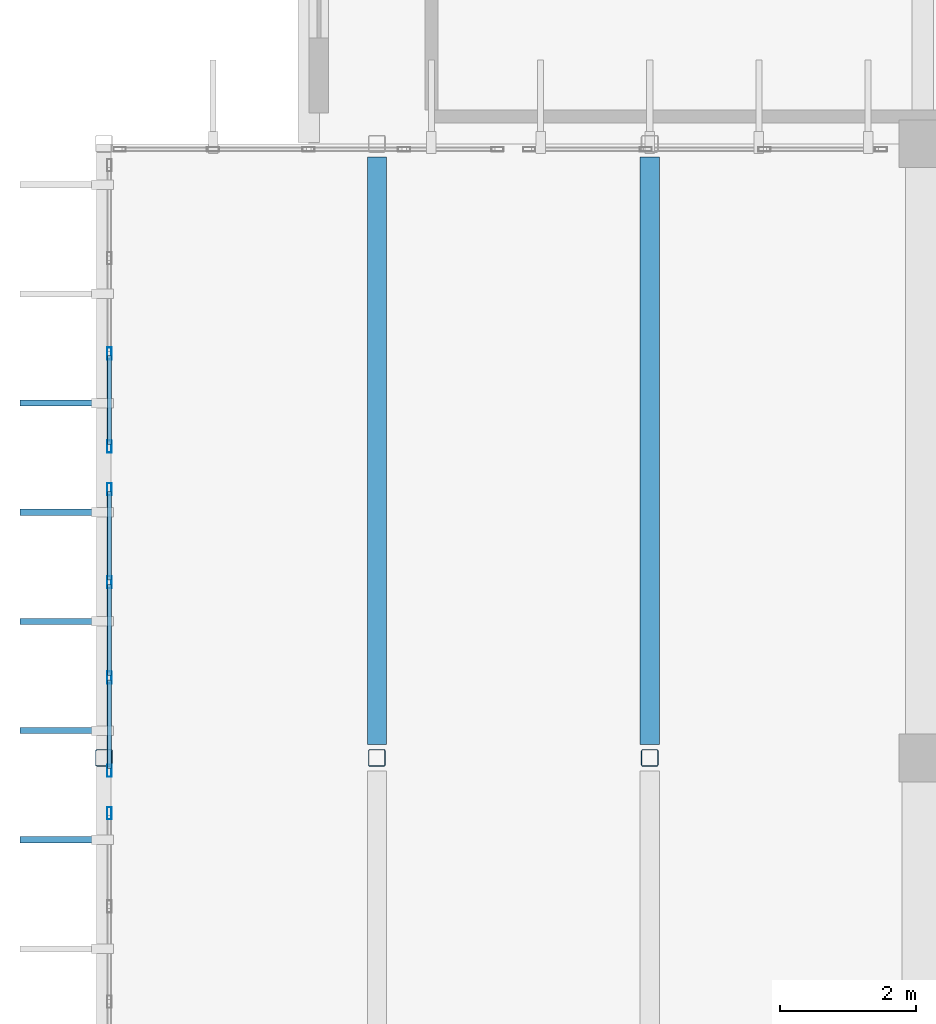
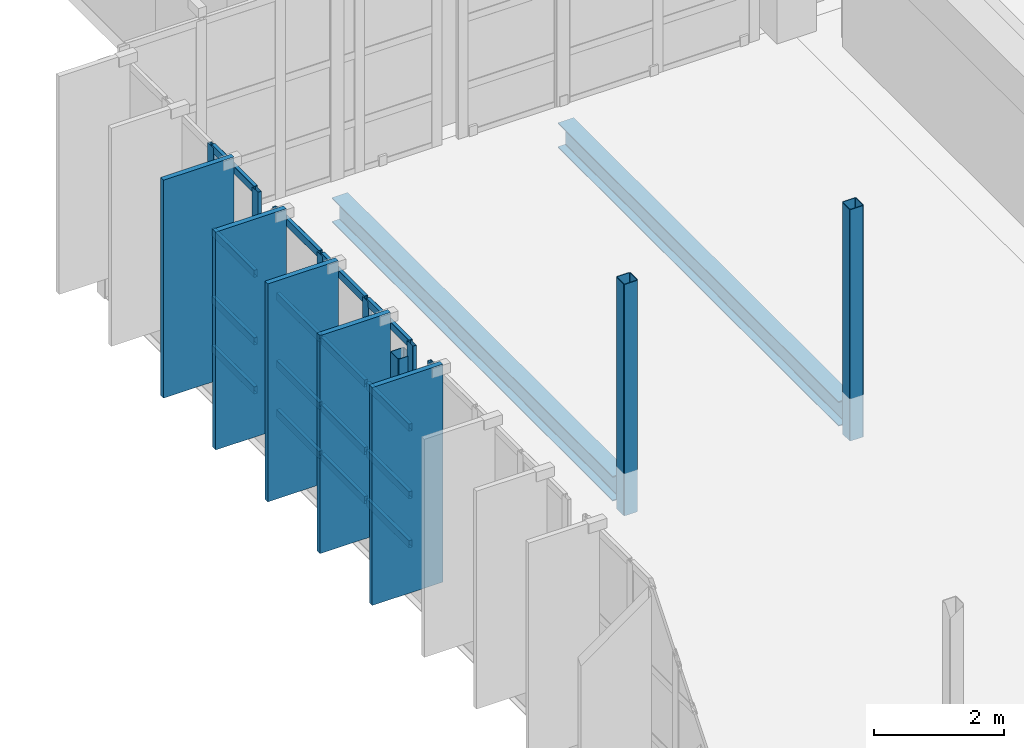
# One storey, part 46 of 110: 31 members, 2 beams, 3 elements without a shape of their own.
"""IFC4 building model written with IfcOpenShell, lengths in metres."""

from ifc_helpers import new_model, si_unit, direction, frame, origin, origin_2d, place, context, subcontext, project, spatial, rectangle, hollow_rectangle, i_section, extrude, material, material_profile, profile_set, type_object, element, aggregate, save


model = new_model("IFC4")

# Units and contexts
model_context = context("Model", 3, precision=1e-05, world=origin(), true_north=direction((0.0, 1.0)))
body_context = subcontext(model_context, "Body", "Model", "MODEL_VIEW")
ifc_project = project(units=[si_unit("LENGTHUNIT", "METRE"), si_unit("AREAUNIT", "SQUARE_METRE"), si_unit("VOLUMEUNIT", "CUBIC_METRE"), si_unit("PLANEANGLEUNIT", "RADIAN"), si_unit("MASSUNIT", "GRAM", prefix="KILO")], contexts=[model_context])

# Site, building, storey
site_placement = place(None, origin())
site = spatial("IfcSite", under=ifc_project, at=site_placement, CompositionType="ELEMENT")
building_placement = place(site_placement, origin())
building = spatial("IfcBuilding", under=site, at=building_placement, Name="Miravela Opera House", CompositionType="ELEMENT")
storey_placement = place(building_placement, frame((0.0, 0.0, 13.60009765625)))
storey = spatial("IfcBuildingStorey", under=building, at=storey_placement, Name="L03", CompositionType="ELEMENT", Elevation=13.60009765625)

# Curtain wall, member
ifc_material_1 = material(Name="Anodised architectural bronze aluminium 6063-T6", Category="aluminium")
curtain_wall_type = type_object("IfcCurtainWallType", Name="ARC-CW-02", PredefinedType="NOTDEFINED", material=ifc_material_1)
curtain_wall_1_placement = place(storey_placement, origin())
curtain_wall_1 = element("IfcCurtainWall", 1, at=curtain_wall_1_placement, inside=storey, type_object=curtain_wall_type, Name="Cantilever West Wrapper Glazing B6 CW-L03-020", PredefinedType="NOTDEFINED")
ifc_material_profile_1 = material_profile(ifc_material_1, hollow_rectangle(XDim=0.06494140625, YDim=0.179931640625, WallThickness=0.00390625, InnerFilletRadius=0.001953125, OuterFilletRadius=0.00390625, at=origin_2d()), Name="CWM-65X180")
ifc_profile_set_1 = profile_set([ifc_material_profile_1])
member_type_1 = type_object("IfcMemberType", Name="ARC-CWM-180", PredefinedType="MULLION", material=ifc_profile_set_1)
member_1_placement = place(storey_placement, frame((15.080078125, 65.1875, 0.0), z_axis=(0.0, 0.0, 1.0), x_axis=(-1.0, 0.0, 0.0)))
member_1 = element("IfcMember", 2, at=member_1_placement, type_object=member_type_1, Name="CW-02 mullion 4", PredefinedType="MULLION", context=body_context, shape_type="SweptSolid", body=[
    extrude(hollow_rectangle(XDim=0.06494140625, YDim=0.179931640625, WallThickness=0.00390625, InnerFilletRadius=0.001953125, OuterFilletRadius=0.00390625, at=origin_2d()), origin(), (0.0, 0.0, 1.0), 3.81982421875),
])
aggregate(curtain_wall_1, [member_1])

# Curtain wall, members
curtain_wall_2_placement = place(storey_placement, origin())
curtain_wall_2 = element("IfcCurtainWall", 3, at=curtain_wall_2_placement, inside=storey, type_object=curtain_wall_type, Name="Cantilever West Wrapper Glazing B7 CW-L03-021", PredefinedType="NOTDEFINED")
member_2_placement = place(storey_placement, frame((15.080078125, 65.8125, 0.0), z_axis=(0.0, 0.0, 1.0), x_axis=(-1.0, 0.0, 0.0)))
member_2 = element("IfcMember", 4, at=member_2_placement, type_object=member_type_1, Name="CW-02 mullion 1", PredefinedType="MULLION", context=body_context, shape_type="SweptSolid", body=[
    extrude(hollow_rectangle(XDim=0.06494140625, YDim=0.179931640625, WallThickness=0.00390625, InnerFilletRadius=0.001953125, OuterFilletRadius=0.00390625, at=origin_2d()), origin(), (0.0, 0.0, 1.0), 3.81982421875),
])
member_3_placement = place(storey_placement, frame((15.080078125, 67.1767578125, 0.0), z_axis=(0.0, 0.0, 1.0), x_axis=(-1.0, 0.0, 0.0)))
member_3 = element("IfcMember", 5, at=member_3_placement, type_object=member_type_1, Name="CW-02 mullion 2", PredefinedType="MULLION", context=body_context, shape_type="SweptSolid", body=[
    extrude(hollow_rectangle(XDim=0.06494140625, YDim=0.179931640625, WallThickness=0.00390625, InnerFilletRadius=0.001953125, OuterFilletRadius=0.00390625, at=origin_2d()), origin(), (0.0, 0.0, 1.0), 3.81982421875),
])
member_4_placement = place(storey_placement, frame((15.080078125, 68.5732421875, 0.0), z_axis=(0.0, 0.0, 1.0), x_axis=(-1.0, 0.0, 0.0)))
member_4 = element("IfcMember", 6, at=member_4_placement, type_object=member_type_1, Name="CW-02 mullion 3", PredefinedType="MULLION", context=body_context, shape_type="SweptSolid", body=[
    extrude(hollow_rectangle(XDim=0.06494140625, YDim=0.179931640625, WallThickness=0.00390625, InnerFilletRadius=0.001953125, OuterFilletRadius=0.00390625, at=origin_2d()), origin(), (0.0, 0.0, 1.0), 3.81982421875),
])
member_5_placement = place(storey_placement, frame((15.080078125, 69.9375, 0.0), z_axis=(0.0, 0.0, 1.0), x_axis=(-1.0, 0.0, 0.0)))
member_5 = element("IfcMember", 7, at=member_5_placement, type_object=member_type_1, Name="CW-02 mullion 4", PredefinedType="MULLION", context=body_context, shape_type="SweptSolid", body=[
    extrude(hollow_rectangle(XDim=0.06494140625, YDim=0.179931640625, WallThickness=0.00390625, InnerFilletRadius=0.001953125, OuterFilletRadius=0.00390625, at=origin_2d()), origin(), (0.0, 0.0, 1.0), 3.81982421875),
])

curtain_wall_3_placement = place(storey_placement, origin())
curtain_wall_3 = element("IfcCurtainWall", 8, at=curtain_wall_3_placement, inside=storey, type_object=curtain_wall_type, Name="Cantilever West Wrapper Glazing B8 CW-L03-022", PredefinedType="NOTDEFINED")
member_6_placement = place(storey_placement, frame((15.080078125, 70.5625, 0.0), z_axis=(0.0, 0.0, 1.0), x_axis=(-1.0, 0.0, 0.0)))
member_6 = element("IfcMember", 9, at=member_6_placement, type_object=member_type_1, Name="CW-02 mullion 1", PredefinedType="MULLION", context=body_context, shape_type="SweptSolid", body=[
    extrude(hollow_rectangle(XDim=0.06494140625, YDim=0.179931640625, WallThickness=0.00390625, InnerFilletRadius=0.001953125, OuterFilletRadius=0.00390625, at=origin_2d()), origin(), (0.0, 0.0, 1.0), 3.81982421875),
])
member_7_placement = place(storey_placement, frame((15.080078125, 71.9267578125, 0.0), z_axis=(0.0, 0.0, 1.0), x_axis=(-1.0, 0.0, 0.0)))
member_7 = element("IfcMember", 10, at=member_7_placement, type_object=member_type_1, Name="CW-02 mullion 2", PredefinedType="MULLION", context=body_context, shape_type="SweptSolid", body=[
    extrude(hollow_rectangle(XDim=0.06494140625, YDim=0.179931640625, WallThickness=0.00390625, InnerFilletRadius=0.001953125, OuterFilletRadius=0.00390625, at=origin_2d()), origin(), (0.0, 0.0, 1.0), 3.81982421875),
])

# Member
ifc_material_profile_2 = material_profile(ifc_material_1, hollow_rectangle(XDim=0.06494140625, YDim=0.139892578125, WallThickness=0.00390625, InnerFilletRadius=0.001953125, OuterFilletRadius=0.00390625, at=origin_2d()), Name="CWT-65X140")
ifc_profile_set_2 = profile_set([ifc_material_profile_2])
member_type_2 = type_object("IfcMemberType", Name="ARC-CWT-140", PredefinedType="USERDEFINED", material=ifc_profile_set_2)
member_8_placement = place(storey_placement, frame((15.080078125, 65.844970703125, 0.032470703125), z_axis=(0.0, 1.0, 0.0), x_axis=(-1.0, 0.0, 0.0)))
member_8 = element("IfcMember", 11, at=member_8_placement, type_object=member_type_2, Name="CW-02 transom 1.1", ObjectType="TRANSOM", PredefinedType="USERDEFINED", context=body_context, shape_type="SweptSolid", body=[
    extrude(hollow_rectangle(XDim=0.06494140625, YDim=0.139892578125, WallThickness=0.00390625, InnerFilletRadius=0.001953125, OuterFilletRadius=0.00390625, at=origin_2d()), origin(), (0.0, 0.0, 1.0), 1.29931640625),
])

member_9_placement = place(storey_placement, frame((15.080078125, 65.844970703125, 0.949951171875), z_axis=(0.0, 1.0, 0.0), x_axis=(-1.0, 0.0, 0.0)))
member_9 = element("IfcMember", 12, at=member_9_placement, type_object=member_type_2, Name="CW-02 transom 1.2", ObjectType="TRANSOM", PredefinedType="USERDEFINED", context=body_context, shape_type="SweptSolid", body=[
    extrude(hollow_rectangle(XDim=0.06494140625, YDim=0.139892578125, WallThickness=0.00390625, InnerFilletRadius=0.001953125, OuterFilletRadius=0.00390625, at=origin_2d()), origin(), (0.0, 0.0, 1.0), 1.29931640625),
])

member_10_placement = place(storey_placement, frame((15.080078125, 65.844970703125, 2.215576171875), z_axis=(0.0, 1.0, 0.0), x_axis=(-1.0, 0.0, 0.0)))
member_10 = element("IfcMember", 13, at=member_10_placement, type_object=member_type_2, Name="CW-02 transom 1.3", ObjectType="TRANSOM", PredefinedType="USERDEFINED", context=body_context, shape_type="SweptSolid", body=[
    extrude(hollow_rectangle(XDim=0.06494140625, YDim=0.139892578125, WallThickness=0.00390625, InnerFilletRadius=0.001953125, OuterFilletRadius=0.00390625, at=origin_2d()), origin(), (0.0, 0.0, 1.0), 1.29931640625),
])

member_11_placement = place(storey_placement, frame((15.080078125, 65.844970703125, 3.787353515625), z_axis=(0.0, 1.0, 0.0), x_axis=(-1.0, 0.0, 0.0)))
member_11 = element("IfcMember", 14, at=member_11_placement, type_object=member_type_2, Name="CW-02 transom 1.4", ObjectType="TRANSOM", PredefinedType="USERDEFINED", context=body_context, shape_type="SweptSolid", body=[
    extrude(hollow_rectangle(XDim=0.06494140625, YDim=0.139892578125, WallThickness=0.00390625, InnerFilletRadius=0.001953125, OuterFilletRadius=0.00390625, at=origin_2d()), origin(), (0.0, 0.0, 1.0), 1.29931640625),
])

member_12_placement = place(storey_placement, frame((15.080078125, 67.209228515625, 0.032470703125), z_axis=(0.0, 1.0, 0.0), x_axis=(-1.0, 0.0, 0.0)))
member_12 = element("IfcMember", 15, at=member_12_placement, type_object=member_type_2, Name="CW-02 transom 2.1", ObjectType="TRANSOM", PredefinedType="USERDEFINED", context=body_context, shape_type="SweptSolid", body=[
    extrude(hollow_rectangle(XDim=0.06494140625, YDim=0.139892578125, WallThickness=0.00390625, InnerFilletRadius=0.001953125, OuterFilletRadius=0.00390625, at=origin_2d()), origin(), (0.0, 0.0, 1.0), 1.33154296875),
])

member_13_placement = place(storey_placement, frame((15.080078125, 67.209228515625, 0.949951171875), z_axis=(0.0, 1.0, 0.0), x_axis=(-1.0, 0.0, 0.0)))
member_13 = element("IfcMember", 16, at=member_13_placement, type_object=member_type_2, Name="CW-02 transom 2.2", ObjectType="TRANSOM", PredefinedType="USERDEFINED", context=body_context, shape_type="SweptSolid", body=[
    extrude(hollow_rectangle(XDim=0.06494140625, YDim=0.139892578125, WallThickness=0.00390625, InnerFilletRadius=0.001953125, OuterFilletRadius=0.00390625, at=origin_2d()), origin(), (0.0, 0.0, 1.0), 1.33154296875),
])

member_14_placement = place(storey_placement, frame((15.080078125, 67.209228515625, 2.215576171875), z_axis=(0.0, 1.0, 0.0), x_axis=(-1.0, 0.0, 0.0)))
member_14 = element("IfcMember", 17, at=member_14_placement, type_object=member_type_2, Name="CW-02 transom 2.3", ObjectType="TRANSOM", PredefinedType="USERDEFINED", context=body_context, shape_type="SweptSolid", body=[
    extrude(hollow_rectangle(XDim=0.06494140625, YDim=0.139892578125, WallThickness=0.00390625, InnerFilletRadius=0.001953125, OuterFilletRadius=0.00390625, at=origin_2d()), origin(), (0.0, 0.0, 1.0), 1.33154296875),
])

member_15_placement = place(storey_placement, frame((15.080078125, 67.209228515625, 3.787353515625), z_axis=(0.0, 1.0, 0.0), x_axis=(-1.0, 0.0, 0.0)))
member_15 = element("IfcMember", 18, at=member_15_placement, type_object=member_type_2, Name="CW-02 transom 2.4", ObjectType="TRANSOM", PredefinedType="USERDEFINED", context=body_context, shape_type="SweptSolid", body=[
    extrude(hollow_rectangle(XDim=0.06494140625, YDim=0.139892578125, WallThickness=0.00390625, InnerFilletRadius=0.001953125, OuterFilletRadius=0.00390625, at=origin_2d()), origin(), (0.0, 0.0, 1.0), 1.33154296875),
])

member_16_placement = place(storey_placement, frame((15.080078125, 68.605712890625, 0.032470703125), z_axis=(0.0, 1.0, 0.0), x_axis=(-1.0, 0.0, 0.0)))
member_16 = element("IfcMember", 19, at=member_16_placement, type_object=member_type_2, Name="CW-02 transom 3.1", ObjectType="TRANSOM", PredefinedType="USERDEFINED", context=body_context, shape_type="SweptSolid", body=[
    extrude(hollow_rectangle(XDim=0.06494140625, YDim=0.139892578125, WallThickness=0.00390625, InnerFilletRadius=0.001953125, OuterFilletRadius=0.00390625, at=origin_2d()), origin(), (0.0, 0.0, 1.0), 1.29931640625),
])

member_17_placement = place(storey_placement, frame((15.080078125, 68.605712890625, 0.949951171875), z_axis=(0.0, 1.0, 0.0), x_axis=(-1.0, 0.0, 0.0)))
member_17 = element("IfcMember", 20, at=member_17_placement, type_object=member_type_2, Name="CW-02 transom 3.2", ObjectType="TRANSOM", PredefinedType="USERDEFINED", context=body_context, shape_type="SweptSolid", body=[
    extrude(hollow_rectangle(XDim=0.06494140625, YDim=0.139892578125, WallThickness=0.00390625, InnerFilletRadius=0.001953125, OuterFilletRadius=0.00390625, at=origin_2d()), origin(), (0.0, 0.0, 1.0), 1.29931640625),
])

member_18_placement = place(storey_placement, frame((15.080078125, 68.605712890625, 2.215576171875), z_axis=(0.0, 1.0, 0.0), x_axis=(-1.0, 0.0, 0.0)))
member_18 = element("IfcMember", 21, at=member_18_placement, type_object=member_type_2, Name="CW-02 transom 3.3", ObjectType="TRANSOM", PredefinedType="USERDEFINED", context=body_context, shape_type="SweptSolid", body=[
    extrude(hollow_rectangle(XDim=0.06494140625, YDim=0.139892578125, WallThickness=0.00390625, InnerFilletRadius=0.001953125, OuterFilletRadius=0.00390625, at=origin_2d()), origin(), (0.0, 0.0, 1.0), 1.29931640625),
])

member_19_placement = place(storey_placement, frame((15.080078125, 68.605712890625, 3.787353515625), z_axis=(0.0, 1.0, 0.0), x_axis=(-1.0, 0.0, 0.0)))
member_19 = element("IfcMember", 22, at=member_19_placement, type_object=member_type_2, Name="CW-02 transom 3.4", ObjectType="TRANSOM", PredefinedType="USERDEFINED", context=body_context, shape_type="SweptSolid", body=[
    extrude(hollow_rectangle(XDim=0.06494140625, YDim=0.139892578125, WallThickness=0.00390625, InnerFilletRadius=0.001953125, OuterFilletRadius=0.00390625, at=origin_2d()), origin(), (0.0, 0.0, 1.0), 1.29931640625),
])

aggregate(curtain_wall_2, [member_2, member_3, member_4, member_5, member_8, member_9, member_10, member_11, member_12, member_13, member_14, member_15, member_16, member_17, member_18, member_19])

member_20_placement = place(storey_placement, frame((15.080078125, 70.594970703125, 0.032470703125), z_axis=(0.0, 1.0, 0.0), x_axis=(-1.0, 0.0, 0.0)))
member_20 = element("IfcMember", 23, at=member_20_placement, type_object=member_type_2, Name="CW-02 transom 1.1", ObjectType="TRANSOM", PredefinedType="USERDEFINED", context=body_context, shape_type="SweptSolid", body=[
    extrude(hollow_rectangle(XDim=0.06494140625, YDim=0.139892578125, WallThickness=0.00390625, InnerFilletRadius=0.001953125, OuterFilletRadius=0.00390625, at=origin_2d()), origin(), (0.0, 0.0, 1.0), 1.29931640625),
])

member_21_placement = place(storey_placement, frame((15.080078125, 70.594970703125, 0.949951171875), z_axis=(0.0, 1.0, 0.0), x_axis=(-1.0, 0.0, 0.0)))
member_21 = element("IfcMember", 24, at=member_21_placement, type_object=member_type_2, Name="CW-02 transom 1.2", ObjectType="TRANSOM", PredefinedType="USERDEFINED", context=body_context, shape_type="SweptSolid", body=[
    extrude(hollow_rectangle(XDim=0.06494140625, YDim=0.139892578125, WallThickness=0.00390625, InnerFilletRadius=0.001953125, OuterFilletRadius=0.00390625, at=origin_2d()), origin(), (0.0, 0.0, 1.0), 1.29931640625),
])

member_22_placement = place(storey_placement, frame((15.080078125, 70.594970703125, 2.215576171875), z_axis=(0.0, 1.0, 0.0), x_axis=(-1.0, 0.0, 0.0)))
member_22 = element("IfcMember", 25, at=member_22_placement, type_object=member_type_2, Name="CW-02 transom 1.3", ObjectType="TRANSOM", PredefinedType="USERDEFINED", context=body_context, shape_type="SweptSolid", body=[
    extrude(hollow_rectangle(XDim=0.06494140625, YDim=0.139892578125, WallThickness=0.00390625, InnerFilletRadius=0.001953125, OuterFilletRadius=0.00390625, at=origin_2d()), origin(), (0.0, 0.0, 1.0), 1.29931640625),
])

member_23_placement = place(storey_placement, frame((15.080078125, 70.594970703125, 3.787353515625), z_axis=(0.0, 1.0, 0.0), x_axis=(-1.0, 0.0, 0.0)))
member_23 = element("IfcMember", 26, at=member_23_placement, type_object=member_type_2, Name="CW-02 transom 1.4", ObjectType="TRANSOM", PredefinedType="USERDEFINED", context=body_context, shape_type="SweptSolid", body=[
    extrude(hollow_rectangle(XDim=0.06494140625, YDim=0.139892578125, WallThickness=0.00390625, InnerFilletRadius=0.001953125, OuterFilletRadius=0.00390625, at=origin_2d()), origin(), (0.0, 0.0, 1.0), 1.29931640625),
])

aggregate(curtain_wall_3, [member_6, member_7, member_20, member_21, member_22, member_23])

# Members
ifc_material_profile_3 = material_profile(ifc_material_1, rectangle(XDim=0.090087890625, YDim=1.25, at=origin_2d()), Name="FIN-1250X90")
ifc_profile_set_3 = profile_set([ifc_material_profile_3])
member_type_3 = type_object("IfcMemberType", Name="ARC-FIN-1250", PredefinedType="USERDEFINED", material=ifc_profile_set_3)
for number, where, z_axis, x_axis, name in (
    (27, (14.39501953125, 64.800048828125, 0.0), (0.0, 0.0, 1.0), (0.0, 1.0, 0.0), "Auditorium Wrapper Bronze Solar Fin FIN-L03-WEST-0054"),
    (28, (14.39501953125, 66.39990234375, 0.0), (0.0, 0.0, 1.0), (0.0, 1.0, 0.0), "Auditorium Wrapper Bronze Solar Fin FIN-L03-WEST-0055"),
    (29, (14.39501953125, 68.0, 0.0), (0.0, 0.0, 1.0), (0.0, 1.0, 0.0), "Auditorium Wrapper Bronze Solar Fin FIN-L03-WEST-0056"),
    (30, (14.39501953125, 69.60009765625, 0.0), (0.0, 0.0, 1.0), (0.0, 1.0, 0.0), "Auditorium Wrapper Bronze Solar Fin FIN-L03-WEST-0057"),
    (31, (14.39501953125, 71.199951171875, 0.0), (0.0, 0.0, 1.0), (0.0, 1.0, 0.0), "Auditorium Wrapper Bronze Solar Fin FIN-L03-WEST-0058"),
):
    element("IfcMember", number, at=place(storey_placement, frame(where, z_axis=z_axis, x_axis=x_axis)), inside=storey, type_object=member_type_3, Name=name, ObjectType="FIN", PredefinedType="USERDEFINED", context=body_context, shape_type="SweptSolid", body=[
        extrude(rectangle(XDim=0.090087890625, YDim=1.25, at=origin_2d()), origin(), (0.0, 0.0, 1.0), 4.079833984375),
    ])

# Beams
ifc_material_2 = material(Name="Structural steel ASTM A992 Gr. 50", Category="steel")
ifc_material_profile_4 = material_profile(ifc_material_2, i_section(OverallWidth=0.280029296875, OverallDepth=0.462890625, WebThickness=0.0107421875, FlangeThickness=0.017333984375, FilletRadius=0.014892578125, at=origin_2d()), Name="W460X113")
ifc_profile_set_4 = profile_set([ifc_material_profile_4])
beam_type = type_object("IfcBeamType", Name="STR-BM-W460X113", PredefinedType="BEAM", material=ifc_profile_set_4)
for number, where, z_axis, x_axis, name in (
    (32, (19.0, 66.195068359375, -0.4716796875), (0.0, 1.0, 0.0), (-1.0, 0.0, 0.0), "Cantilever Overhang Beam L03 X=19"),
    (33, (23.0, 66.195068359375, -0.4716796875), (0.0, 1.0, 0.0), (-1.0, 0.0, 0.0), "Cantilever Overhang Beam L03 X=23"),
):
    element("IfcBeam", number, at=place(storey_placement, frame(where, z_axis=z_axis, x_axis=x_axis)), inside=storey, type_object=beam_type, Name=name, PredefinedType="BEAM", context=body_context, shape_type="SweptSolid", body=[
        extrude(i_section(OverallWidth=0.280029296875, OverallDepth=0.462890625, WebThickness=0.0107421875, FlangeThickness=0.017333984375, FilletRadius=0.014892578125, at=origin_2d()), origin(), (0.0, 0.0, 1.0), 8.60986328125),
    ])

# Members
ifc_material_3 = material(Name="Hollow structural steel ASTM A500 Gr. C", Category="steel")
ifc_material_profile_5 = material_profile(ifc_material_3, hollow_rectangle(XDim=0.25, YDim=0.25, WallThickness=0.011962890625, InnerFilletRadius=0.011962890625, OuterFilletRadius=0.02392578125, at=origin_2d()), Name="HSS250X250X12")
ifc_profile_set_5 = profile_set([ifc_material_profile_5])
member_type_4 = type_object("IfcMemberType", Name="STR-MEM-CANT-POST2", PredefinedType="POST", material=ifc_profile_set_5)
for number, where, z_axis, x_axis, name in (
    (34, (15.0, 66.0, -0.793212890625), (0.0, 0.0, 1.0), (1.0, 0.0, 0.0), "Upper Wrapper Truss Post L03 X=15.0"),
    (35, (19.0, 66.0, -0.793212890625), (0.0, 0.0, 1.0), (1.0, 0.0, 0.0), "Upper Wrapper Truss Post L03 X=19.0"),
    (36, (23.0, 66.0, -0.793212890625), (0.0, 0.0, 1.0), (1.0, 0.0, 0.0), "Upper Wrapper Truss Post L03 X=23.0"),
):
    element("IfcMember", number, at=place(storey_placement, frame(where, z_axis=z_axis, x_axis=x_axis)), inside=storey, type_object=member_type_4, Name=name, PredefinedType="POST", context=body_context, shape_type="SweptSolid", body=[
        extrude(hollow_rectangle(XDim=0.25, YDim=0.25, WallThickness=0.011962890625, InnerFilletRadius=0.011962890625, OuterFilletRadius=0.02392578125, at=origin_2d()), origin(), (0.0, 0.0, 1.0), 4.3330078125),
    ])

save(model, "model.ifc")
